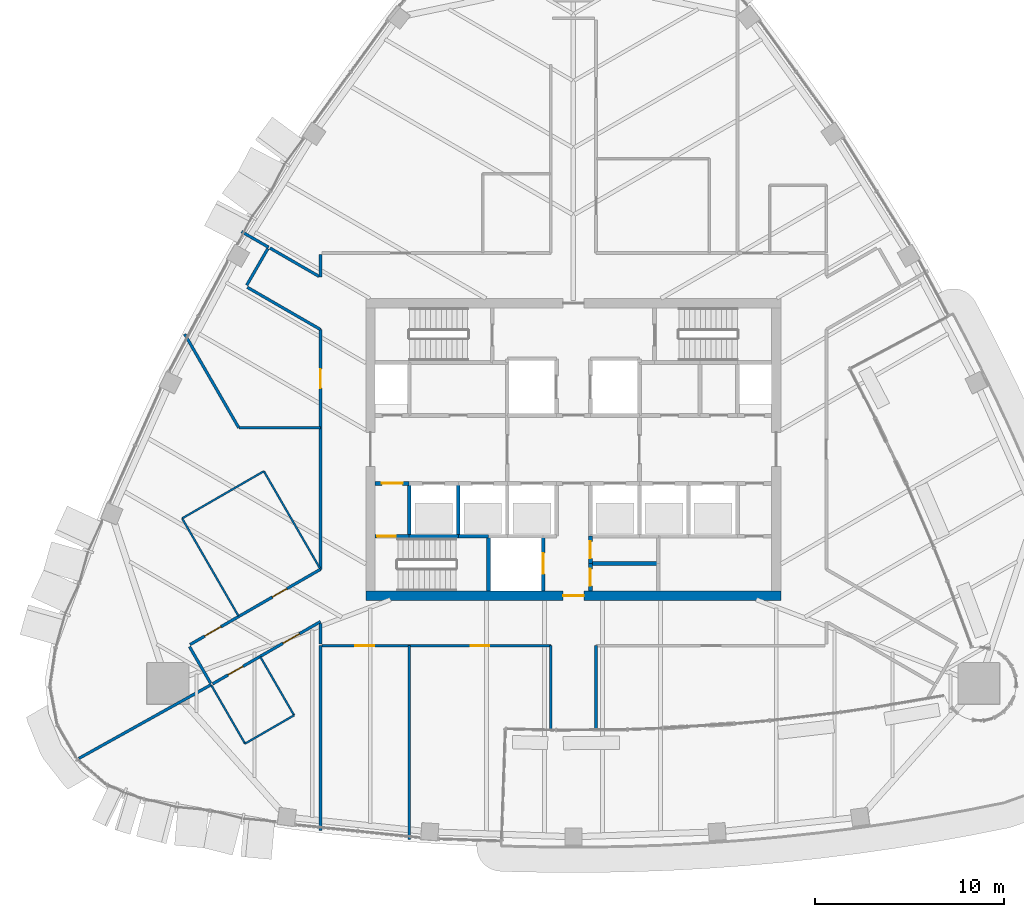
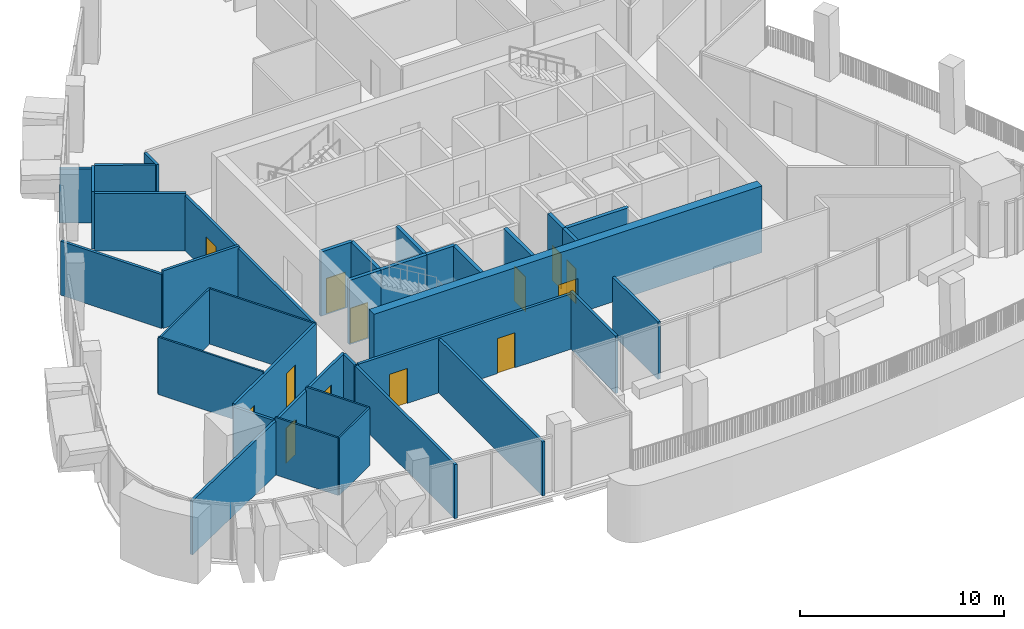
# One storey, part 13 of 21: 36 walls, 13 doors, 13 openings.
"""IFC4 building model written with IfcOpenShell, lengths in metres."""

from ifc_helpers import new_model, si_unit, direction, frame, frame_2d, origin, place, context, subcontext, project, spatial, rectangle, extrude, material, layer, layer_set, type_object, element, fill, save


model = new_model("IFC4")

# Units and contexts
model_context = context("Model", 3, precision=1e-05, world=origin(), true_north=direction((0.0, 1.0)))
body_context = subcontext(model_context, "Body", "Model", "MODEL_VIEW")
ifc_project = project(units=[si_unit("LENGTHUNIT", "METRE"), si_unit("AREAUNIT", "SQUARE_METRE"), si_unit("VOLUMEUNIT", "CUBIC_METRE"), si_unit("PLANEANGLEUNIT", "RADIAN"), si_unit("MASSUNIT", "GRAM", prefix="KILO")], contexts=[model_context])

# Site, building, storey
site_placement = place(None, origin())
site = spatial("IfcSite", under=ifc_project, at=site_placement, CompositionType="ELEMENT")
building_placement = place(site_placement, origin())
building = spatial("IfcBuilding", under=site, at=building_placement, Name="Sierra Prisma Convention Tower", CompositionType="ELEMENT")
storey_placement = place(building_placement, frame((0.0, 0.0, 259.0)))
storey = spatial("IfcBuildingStorey", under=building, at=storey_placement, Name="L58", CompositionType="ELEMENT", Elevation=259.0)

# Walls
ifc_material_1 = material(Name="Gypsum board partition", Category="gypsum")
ifc_layer_1 = layer(ifc_material_1, 0.10009765625)
ifc_layer_set_1 = layer_set([ifc_layer_1], Name="Bathroom partition 100")
wall_type_1 = type_object("IfcWallType", Name="Bathroom partition 100", PredefinedType="PARTITIONING", material=ifc_layer_set_1)
wall_1_placement = place(storey_placement, frame((-16.583984375, -10.9951171875, 0.0), z_axis=(0.0, 0.0, 1.0), x_axis=(0.499971082179, -0.866042098853, 0.0)))
element("IfcWall", 1, at=wall_1_placement, inside=storey, type_object=wall_type_1, Name="Partition L58 bath 1", PredefinedType="PARTITIONING", context=body_context, shape_type="SweptSolid", body=[
    extrude(rectangle(XDim=3.570068359375, YDim=0.10009765625, at=frame_2d((1.78515625, 0.0))), origin(), (0.0, 0.0, 1.0), 3.449951171875),
])
wall_2_placement = place(storey_placement, frame((-14.799072265625, -14.0869140625, 0.0), z_axis=(0.0, 0.0, 1.0), x_axis=(-0.866031096941, -0.499990139034, 0.0)))
element("IfcWall", 2, at=wall_2_placement, inside=storey, type_object=wall_type_1, Name="Partition L58 bath 2", PredefinedType="PARTITIONING", context=body_context, shape_type="SweptSolid", body=[
    extrude(rectangle(XDim=3.0, YDim=0.10009765625, at=frame_2d((1.5, 0.0))), origin(), (0.0, 0.0, 1.0), 3.449951171875),
])
wall_3_placement = place(storey_placement, frame((-17.397216796875, -15.5869140625, 0.0), z_axis=(0.0, 0.0, 1.0), x_axis=(-0.499971082179, 0.866042098853, 0.0)))
element("IfcWall", 3, at=wall_3_placement, inside=storey, type_object=wall_type_1, Name="Partition L58 bath 3", PredefinedType="PARTITIONING", context=body_context, shape_type="SweptSolid", body=[
    extrude(rectangle(XDim=3.570068359375, YDim=0.10009765625, at=frame_2d((1.78515625, 0.0))), origin(), (0.0, 0.0, 1.0), 3.449951171875),
])
wall_4_placement = place(storey_placement, frame((-17.7451171875, -8.824951171875, 0.0), z_axis=(0.0, 0.0, 1.0), x_axis=(-0.499983233416, 0.86603508376, 0.0)))
element("IfcWall", 4, at=wall_4_placement, inside=storey, type_object=wall_type_1, Name="Partition L58 bath 4", PredefinedType="PARTITIONING", context=body_context, shape_type="SweptSolid", body=[
    extrude(rectangle(XDim=5.969970703125, YDim=0.10009765625, at=frame_2d((2.98486328125, 0.0))), origin(), (0.0, 0.0, 1.0), 3.443115234375),
])
wall_5_placement = place(storey_placement, frame((-20.72998046875, -3.65478515625, 0.0), z_axis=(0.0, 0.0, 1.0), x_axis=(0.866022959057, 0.500004234368, 0.0)))
element("IfcWall", 5, at=wall_5_placement, inside=storey, type_object=wall_type_1, Name="Partition L58 bath 5", PredefinedType="PARTITIONING", context=body_context, shape_type="SweptSolid", body=[
    extrude(rectangle(XDim=5.0, YDim=0.10009765625, at=frame_2d((2.5, 0.0))), origin(), (0.0, 0.0, 1.0), 3.31689453125),
])
wall_6_placement = place(storey_placement, frame((-16.39990234375, -1.15478515625, 0.0), z_axis=(0.0, 0.0, 1.0), x_axis=(0.500007084799, -0.866021313335, 0.0)))
element("IfcWall", 6, at=wall_6_placement, inside=storey, type_object=wall_type_1, Name="Partition L58 bath 6", PredefinedType="PARTITIONING", context=body_context, shape_type="SweptSolid", body=[
    extrude(rectangle(XDim=5.93994140625, YDim=0.10009765625, at=frame_2d((2.969970703125, 0.0))), origin(), (0.0, 0.0, 1.0), 3.31689453125),
])

# Wall, opening, door
ifc_material_2 = material(Name="Concrete C30/37", Category="concrete")
ifc_layer_2 = layer(ifc_material_2, 0.199951171875)
ifc_layer_set_2 = layer_set([ifc_layer_2], Name="Core wall RC 200 C30/37")
wall_type_2 = type_object("IfcWallType", Name="Core wall RC 200 C30/37", PredefinedType="SOLIDWALL", material=ifc_layer_set_2)
wall_7_placement = place(storey_placement, frame((-10.5, -4.60009765625, 0.0), z_axis=(0.0, 0.0, 1.0), x_axis=(1.0, 0.0, 0.0)))
wall_7 = element("IfcWall", 7, at=wall_7_placement, inside=storey, type_object=wall_type_2, Name="Core wall L58 1", PredefinedType="SOLIDWALL", context=body_context, shape_type="SweptSolid", body=[
    extrude(rectangle(XDim=1.800048828125, YDim=0.199951171875, at=frame_2d((0.89990234375, 0.0))), origin(), (0.0, 0.0, 1.0), 3.85009765625),
])
opening_1_placement = place(wall_7_placement, frame((0.10009765625, 0.0, 0.0)))
opening_1 = element("IfcOpeningElement", 8, at=opening_1_placement, cuts=wall_7, Name="Opening L58-D019", PredefinedType="OPENING", context=body_context, shape_type="SweptSolid", body=[
    extrude(rectangle(XDim=1.0, YDim=2.10009765625, at=frame_2d((0.5, 1.050048828125))), frame((0.0, 0.10009765625, 0.0), z_axis=(0.0, -1.0, 0.0), x_axis=(1.0, 0.0, 0.0)), (0.0, 0.0, 1.0), 0.199951171875),
])
ifc_material_3 = material(Name="Steel fire door leaf", Category="steel")
door_type_1 = type_object("IfcDoorType", Name="Door 1000x2100 FD90S", OperationType="SINGLE_SWING_LEFT", PredefinedType="DOOR", material=ifc_material_3)
door_1_placement = place(opening_1_placement, origin())
door_1 = element("IfcDoor", 9, at=door_1_placement, inside=storey, type_object=door_type_1, Name="Door L58 32", OperationType="SINGLE_SWING_LEFT", OverallHeight=2.10009765625, OverallWidth=1.0, PredefinedType="DOOR", context=body_context, shape_type="SweptSolid", body=[
    extrude(rectangle(XDim=1.0, YDim=2.10009765625, at=frame_2d((0.5, 1.050048828125))), frame((0.0, 0.02490234375, 0.0), z_axis=(0.0, -1.0, 0.0), x_axis=(1.0, 0.0, 0.0)), (0.0, 0.0, 1.0), 0.050048828125),
])
fill(opening_1, door_1)

wall_8_placement = place(storey_placement, frame((-10.5, -1.800048828125, 0.0), z_axis=(0.0, 0.0, 1.0), x_axis=(1.0, 0.0, 0.0)))
wall_8 = element("IfcWall", 10, at=wall_8_placement, inside=storey, type_object=wall_type_2, Name="Core wall L58 2", PredefinedType="SOLIDWALL", context=body_context, shape_type="SweptSolid", body=[
    extrude(rectangle(XDim=1.800048828125, YDim=0.199951171875, at=frame_2d((0.89990234375, 0.0))), origin(), (0.0, 0.0, 1.0), 3.85009765625),
])
opening_2_placement = place(wall_8_placement, frame((0.35009765625, 0.0, 0.0)))
opening_2 = element("IfcOpeningElement", 11, at=opening_2_placement, cuts=wall_8, Name="Opening L58-D014", PredefinedType="OPENING", context=body_context, shape_type="SweptSolid", body=[
    extrude(rectangle(XDim=1.10009765625, YDim=2.10009765625, at=frame_2d((0.550048828125, 1.050048828125))), frame((0.0, 0.10009765625, 0.0), z_axis=(0.0, -1.0, 0.0), x_axis=(1.0, 0.0, 0.0)), (0.0, 0.0, 1.0), 0.199951171875),
])
ifc_material_4 = material(Name="Steel fire door leaf", Category="steel")
door_type_2 = type_object("IfcDoorType", Name="Door 1100x2100 FD90S", OperationType="SINGLE_SWING_LEFT", PredefinedType="DOOR", material=ifc_material_4)
door_2_placement = place(opening_2_placement, origin())
door_2 = element("IfcDoor", 12, at=door_2_placement, inside=storey, type_object=door_type_2, Name="Door L58 27", OperationType="SINGLE_SWING_LEFT", OverallHeight=2.10009765625, OverallWidth=1.10009765625, PredefinedType="DOOR", context=body_context, shape_type="SweptSolid", body=[
    extrude(rectangle(XDim=1.10009765625, YDim=2.10009765625, at=frame_2d((0.550048828125, 1.050048828125))), frame((0.0, 0.02490234375, 0.0), z_axis=(0.0, -1.0, 0.0), x_axis=(1.0, 0.0, 0.0)), (0.0, 0.0, 1.0), 0.050048828125),
])
fill(opening_2, door_2)

# Walls
wall_9_placement = place(storey_placement, frame((-8.699951171875, -4.60009765625, 0.0), z_axis=(0.0, 0.0, 1.0), x_axis=(1.0, 0.0, 0.0)))
element("IfcWall", 13, at=wall_9_placement, inside=storey, type_object=wall_type_2, Name="Core wall L58 5", PredefinedType="SOLIDWALL", context=body_context, shape_type="SweptSolid", body=[
    extrude(rectangle(XDim=2.599853515625, YDim=0.199951171875, at=frame_2d((1.2998046875, 0.0))), origin(), (0.0, 0.0, 1.0), 3.85009765625),
])
wall_10_placement = place(storey_placement, frame((-8.699951171875, -4.60009765625, 0.0), z_axis=(0.0, 0.0, 1.0), x_axis=(0.0, 1.0, 0.0)))
element("IfcWall", 14, at=wall_10_placement, inside=storey, type_object=wall_type_2, Name="Core wall L58 6", PredefinedType="SOLIDWALL", context=body_context, shape_type="SweptSolid", body=[
    extrude(rectangle(XDim=2.800048828125, YDim=0.199951171875, at=frame_2d((1.39990234375, 0.0))), origin(), (0.0, 0.0, 1.0), 3.85009765625),
])
wall_11_placement = place(storey_placement, frame((-6.10009765625, -4.60009765625, 0.0), z_axis=(0.0, 0.0, 1.0), x_axis=(1.0, 0.0, 0.0)))
element("IfcWall", 15, at=wall_11_placement, inside=storey, type_object=wall_type_2, Name="Core wall L58 11", PredefinedType="SOLIDWALL", context=body_context, shape_type="SweptSolid", body=[
    extrude(rectangle(XDim=1.60009765625, YDim=0.199951171875, at=frame_2d((0.800048828125, 0.0))), origin(), (0.0, 0.0, 1.0), 3.85009765625),
])
wall_12_placement = place(storey_placement, frame((-6.10009765625, -4.60009765625, 0.0), z_axis=(0.0, 0.0, 1.0), x_axis=(0.0, 1.0, 0.0)))
element("IfcWall", 16, at=wall_12_placement, inside=storey, type_object=wall_type_2, Name="Core wall L58 12", PredefinedType="SOLIDWALL", context=body_context, shape_type="SweptSolid", body=[
    extrude(rectangle(XDim=2.800048828125, YDim=0.199951171875, at=frame_2d((1.39990234375, 0.0))), origin(), (0.0, 0.0, 1.0), 3.85009765625),
])
wall_13_placement = place(storey_placement, frame((-4.5, -4.60009765625, 0.0), z_axis=(0.0, 0.0, 1.0), x_axis=(0.0, -1.0, 0.0)))
element("IfcWall", 17, at=wall_13_placement, inside=storey, type_object=wall_type_2, Name="Core wall L58 14", PredefinedType="SOLIDWALL", context=body_context, shape_type="SweptSolid", body=[
    extrude(rectangle(XDim=2.89990234375, YDim=0.199951171875, at=frame_2d((1.449951171875, 0.0))), origin(), (0.0, 0.0, 1.0), 3.85009765625),
])

# Wall, opening, door
wall_14_placement = place(storey_placement, frame((-1.60009765625, -7.5, 0.0), z_axis=(0.0, 0.0, 1.0), x_axis=(0.0, 1.0, 0.0)))
wall_14 = element("IfcWall", 18, at=wall_14_placement, inside=storey, type_object=wall_type_2, Name="Core wall L58 27", PredefinedType="SOLIDWALL", context=body_context, shape_type="SweptSolid", body=[
    extrude(rectangle(XDim=2.89990234375, YDim=0.199951171875, at=frame_2d((1.449951171875, 0.0))), origin(), (0.0, 0.0, 1.0), 3.85009765625),
])
opening_3_placement = place(wall_14_placement, frame((0.89990234375, 0.0, 0.0)))
opening_3 = element("IfcOpeningElement", 19, at=opening_3_placement, cuts=wall_14, Name="Opening L58-D011", PredefinedType="OPENING", context=body_context, shape_type="SweptSolid", body=[
    extrude(rectangle(XDim=1.10009765625, YDim=2.10009765625, at=frame_2d((0.550048828125, 1.050048828125))), frame((0.0, 0.10009765625, 0.0), z_axis=(0.0, -1.0, 0.0), x_axis=(1.0, 0.0, 0.0)), (0.0, 0.0, 1.0), 0.199951171875),
])
ifc_material_5 = material(Name="Steel fire door leaf", Category="steel")
door_type_3 = type_object("IfcDoorType", Name="Door 1100x2100 EI 90 sliding lift landing", OperationType="SLIDING_TO_LEFT", PredefinedType="DOOR", material=ifc_material_5)
door_3_placement = place(opening_3_placement, origin())
door_3 = element("IfcDoor", 20, at=door_3_placement, inside=storey, type_object=door_type_3, Name="Door L58 24", OperationType="SLIDING_TO_LEFT", OverallHeight=2.10009765625, OverallWidth=1.10009765625, PredefinedType="DOOR", context=body_context, shape_type="SweptSolid", body=[
    extrude(rectangle(XDim=1.10009765625, YDim=2.10009765625, at=frame_2d((0.550048828125, 1.050048828125))), frame((0.0, 0.02490234375, 0.0), z_axis=(0.0, -1.0, 0.0), x_axis=(1.0, 0.0, 0.0)), (0.0, 0.0, 1.0), 0.050048828125),
])
fill(opening_3, door_3)

wall_15_placement = place(storey_placement, frame((0.89990234375, -6.050048828125, 0.0), z_axis=(0.0, 0.0, 1.0), x_axis=(0.0, -1.0, 0.0)))
wall_15 = element("IfcWall", 21, at=wall_15_placement, inside=storey, type_object=wall_type_2, Name="Core wall L58 32", PredefinedType="SOLIDWALL", context=body_context, shape_type="SweptSolid", body=[
    extrude(rectangle(XDim=1.449951171875, YDim=0.199951171875, at=frame_2d((0.72509765625, 0.0))), origin(), (0.0, 0.0, 1.0), 3.85009765625),
])
opening_4_placement = place(wall_15_placement, frame((0.27490234375, 0.0, 0.0)))
opening_4 = element("IfcOpeningElement", 22, at=opening_4_placement, cuts=wall_15, Name="Opening L58-D027", PredefinedType="OPENING", context=body_context, shape_type="SweptSolid", body=[
    extrude(rectangle(XDim=0.89990234375, YDim=2.10009765625, at=frame_2d((0.449951171875, 1.050048828125))), frame((0.0, 0.10009765625, 0.0), z_axis=(0.0, -1.0, 0.0), x_axis=(1.0, 0.0, 0.0)), (0.0, 0.0, 1.0), 0.199951171875),
])
ifc_material_6 = material(Name="Steel fire door leaf", Category="steel")
door_type_4 = type_object("IfcDoorType", Name="Door 900x2100 FD30S", OperationType="SINGLE_SWING_LEFT", PredefinedType="DOOR", material=ifc_material_6)
door_4_placement = place(opening_4_placement, origin())
door_4 = element("IfcDoor", 23, at=door_4_placement, inside=storey, type_object=door_type_4, Name="Door L58 40", OperationType="SINGLE_SWING_LEFT", OverallHeight=2.10009765625, OverallWidth=0.89990234375, PredefinedType="DOOR", context=body_context, shape_type="SweptSolid", body=[
    extrude(rectangle(XDim=0.89990234375, YDim=2.10009765625, at=frame_2d((0.449951171875, 1.050048828125))), frame((0.0, 0.02490234375, 0.0), z_axis=(0.0, -1.0, 0.0), x_axis=(1.0, 0.0, 0.0)), (0.0, 0.0, 1.0), 0.050048828125),
])
fill(opening_4, door_4)

# Wall
wall_16_placement = place(storey_placement, frame((4.5, -6.050048828125, 0.0), z_axis=(0.0, 0.0, 1.0), x_axis=(-1.0, 0.0, 0.0)))
element("IfcWall", 24, at=wall_16_placement, inside=storey, type_object=wall_type_2, Name="Core wall L58 33", PredefinedType="SOLIDWALL", context=body_context, shape_type="SweptSolid", body=[
    extrude(rectangle(XDim=3.60009765625, YDim=0.199951171875, at=frame_2d((1.800048828125, 0.0))), origin(), (0.0, 0.0, 1.0), 3.85009765625),
])

# Wall, opening, door
wall_17_placement = place(storey_placement, frame((0.89990234375, -4.60009765625, 0.0), z_axis=(0.0, 0.0, 1.0), x_axis=(0.0, -1.0, 0.0)))
wall_17 = element("IfcWall", 25, at=wall_17_placement, inside=storey, type_object=wall_type_2, Name="Core wall L58 34", PredefinedType="SOLIDWALL", context=body_context, shape_type="SweptSolid", body=[
    extrude(rectangle(XDim=1.449951171875, YDim=0.199951171875, at=frame_2d((0.72509765625, 0.0))), origin(), (0.0, 0.0, 1.0), 3.85009765625),
])
opening_5_placement = place(wall_17_placement, frame((0.27490234375, 0.0, 0.0)))
opening_5 = element("IfcOpeningElement", 26, at=opening_5_placement, cuts=wall_17, Name="Opening L58-D028", PredefinedType="OPENING", context=body_context, shape_type="SweptSolid", body=[
    extrude(rectangle(XDim=0.89990234375, YDim=2.10009765625, at=frame_2d((0.449951171875, 1.050048828125))), frame((0.0, 0.10009765625, 0.0), z_axis=(0.0, -1.0, 0.0), x_axis=(1.0, 0.0, 0.0)), (0.0, 0.0, 1.0), 0.199951171875),
])
door_5_placement = place(opening_5_placement, origin())
door_5 = element("IfcDoor", 27, at=door_5_placement, inside=storey, type_object=door_type_4, Name="Door L58 41", OperationType="SINGLE_SWING_RIGHT", OverallHeight=2.10009765625, OverallWidth=0.89990234375, PredefinedType="DOOR", context=body_context, shape_type="SweptSolid", body=[
    extrude(rectangle(XDim=0.89990234375, YDim=2.10009765625, at=frame_2d((0.449951171875, 1.050048828125))), frame((0.0, 0.02490234375, 0.0), z_axis=(0.0, -1.0, 0.0), x_axis=(1.0, 0.0, 0.0)), (0.0, 0.0, 1.0), 0.050048828125),
])
fill(opening_5, door_5)

ifc_material_7 = material(Name="Concrete C50/60", Category="concrete")
ifc_layer_3 = layer(ifc_material_7, 0.5)
ifc_layer_set_3 = layer_set([ifc_layer_3], Name="Core wall RC 500 C50/60")
wall_type_3 = type_object("IfcWallType", Name="Core wall RC 500 C50/60", PredefinedType="SHEAR", material=ifc_layer_set_3)
wall_18_placement = place(storey_placement, frame((-11.0, -7.75, 0.0), z_axis=(0.0, 0.0, 1.0), x_axis=(1.0, 0.0, 0.0)))
wall_18 = element("IfcWall", 28, at=wall_18_placement, inside=storey, type_object=wall_type_3, Name="Core wall S L58", PredefinedType="SHEAR", context=body_context, shape_type="SweptSolid", body=[
    extrude(rectangle(XDim=22.0, YDim=0.5, at=frame_2d((11.0, 0.0))), origin(), (0.0, 0.0, 1.0), 4.0),
])
opening_6_placement = place(wall_18_placement, frame((10.449951171875, 0.0, 0.0)))
opening_6 = element("IfcOpeningElement", 29, at=opening_6_placement, cuts=wall_18, Name="Opening L58-D046", PredefinedType="OPENING", context=body_context, shape_type="SweptSolid", body=[
    extrude(rectangle(XDim=1.10009765625, YDim=2.10009765625, at=frame_2d((0.550048828125, 1.050048828125))), frame((0.0, 0.25, 0.0), z_axis=(0.0, -1.0, 0.0), x_axis=(1.0, 0.0, 0.0)), (0.0, 0.0, 1.0), 0.5),
])
ifc_material_8 = material(Name="Steel fire door leaf", Category="steel")
door_type_5 = type_object("IfcDoorType", Name="Door 1100x2100 FD30S", OperationType="SINGLE_SWING_LEFT", PredefinedType="DOOR", material=ifc_material_8)
door_6_placement = place(opening_6_placement, origin())
door_6 = element("IfcDoor", 30, at=door_6_placement, inside=storey, type_object=door_type_5, Name="Door L58 45", OperationType="SINGLE_SWING_RIGHT", OverallHeight=2.10009765625, OverallWidth=1.10009765625, PredefinedType="DOOR", context=body_context, shape_type="SweptSolid", body=[
    extrude(rectangle(XDim=1.10009765625, YDim=2.10009765625, at=frame_2d((0.550048828125, 1.050048828125))), frame((0.0, 0.02490234375, 0.0), z_axis=(0.0, -1.0, 0.0), x_axis=(1.0, 0.0, 0.0)), (0.0, 0.0, 1.0), 0.050048828125),
])
fill(opening_6, door_6)

# Walls
ifc_material_9 = material(Name="Gypsum board partition", Category="gypsum")
ifc_layer_4 = layer(ifc_material_9, 0.14990234375)
ifc_layer_set_4 = layer_set([ifc_layer_4], Name="Corridor wall 150 gypsum EI 60")
wall_type_4 = type_object("IfcWallType", Name="Corridor wall 150 gypsum EI 60", PredefinedType="PARTITIONING", material=ifc_layer_set_4)
wall_19_placement = place(storey_placement, frame((-20.33984375, -10.449951171875, 0.0), z_axis=(0.0, 0.0, 1.0), x_axis=(0.500030632641, -0.866007717299, 0.0)))
element("IfcWall", 31, at=wall_19_placement, inside=storey, type_object=wall_type_4, Name="Partition L58 corr 1", PredefinedType="PARTITIONING", context=body_context, shape_type="SweptSolid", body=[
    extrude(rectangle(XDim=2.239990234375, YDim=0.14990234375, at=frame_2d((1.1201171875, 0.0))), origin(), (0.0, 0.0, 1.0), 3.23291015625),
])
wall_20_placement = place(storey_placement, frame((-17.2783203125, 8.590087890625, 0.0), z_axis=(0.0, 0.0, 1.0), x_axis=(0.866020361036, -0.500008734195, 0.0)))
element("IfcWall", 32, at=wall_20_placement, inside=storey, type_object=wall_type_4, Name="Partition L58 corr 2", PredefinedType="PARTITIONING", context=body_context, shape_type="SweptSolid", body=[
    extrude(rectangle(XDim=4.478515625, YDim=0.14990234375, at=frame_2d((2.2392578125, 0.0))), origin(), (0.0, 0.0, 1.0), 3.449951171875),
])

# Wall, opening, door
wall_21_placement = place(storey_placement, frame((-13.39990234375, 6.350830078125, 0.0), z_axis=(0.0, 0.0, 1.0), x_axis=(0.0, -1.0, 0.0)))
wall_21 = element("IfcWall", 33, at=wall_21_placement, inside=storey, type_object=wall_type_4, Name="Partition L58 corr 3", PredefinedType="PARTITIONING", context=body_context, shape_type="SweptSolid", body=[
    extrude(rectangle(XDim=12.70166015625, YDim=0.14990234375, at=frame_2d((6.350830078125, 0.0))), origin(), (0.0, 0.0, 1.0), 3.31689453125),
])
opening_7_placement = place(wall_21_placement, frame((2.100830078125, 0.0, 0.0)))
opening_7 = element("IfcOpeningElement", 34, at=opening_7_placement, cuts=wall_21, Name="Opening L58-D035", PredefinedType="OPENING", context=body_context, shape_type="SweptSolid", body=[
    extrude(rectangle(XDim=1.0, YDim=2.10009765625, at=frame_2d((0.5, 1.050048828125))), frame((0.0, 0.074951171875, 0.0), z_axis=(0.0, -1.0, 0.0), x_axis=(1.0, 0.0, 0.0)), (0.0, 0.0, 1.0), 0.14990234375),
])
ifc_material_10 = material(Name="Steel fire door leaf", Category="steel")
door_type_6 = type_object("IfcDoorType", Name="Door 1000x2100 FD30S", OperationType="SINGLE_SWING_LEFT", PredefinedType="DOOR", material=ifc_material_10)
door_7_placement = place(opening_7_placement, origin())
door_7 = element("IfcDoor", 35, at=door_7_placement, inside=storey, type_object=door_type_6, Name="Door L58 7", OperationType="SINGLE_SWING_RIGHT", OverallHeight=2.10009765625, OverallWidth=1.0, PredefinedType="DOOR", context=body_context, shape_type="SweptSolid", body=[
    extrude(rectangle(XDim=1.0, YDim=2.10009765625, at=frame_2d((0.5, 1.050048828125))), frame((0.0, 0.02490234375, 0.0), z_axis=(0.0, -1.0, 0.0), x_axis=(1.0, 0.0, 0.0)), (0.0, 0.0, 1.0), 0.050048828125),
])
fill(opening_7, door_7)

# Wall, openings, doors
wall_22_placement = place(storey_placement, frame((-13.39990234375, -6.350830078125, 0.0), z_axis=(0.0, 0.0, 1.0), x_axis=(-0.866031719379, -0.499989060909, 0.0)))
wall_22 = element("IfcWall", 36, at=wall_22_placement, inside=storey, type_object=wall_type_4, Name="Partition L58 corr 4", PredefinedType="PARTITIONING", context=body_context, shape_type="SweptSolid", body=[
    extrude(rectangle(XDim=7.979736328125, YDim=0.14990234375, at=frame_2d((3.98974609375, 0.0))), origin(), (0.0, 0.0, 1.0), 3.31689453125),
])
opening_8_placement = place(wall_22_placement, frame((2.050048828125, 0.0, 0.0)))
opening_8 = element("IfcOpeningElement", 37, at=opening_8_placement, cuts=wall_22, Name="Opening L58-D036", PredefinedType="OPENING", context=body_context, shape_type="SweptSolid", body=[
    extrude(rectangle(XDim=0.89990234375, YDim=2.10009765625, at=frame_2d((0.449951171875, 1.050048828125))), frame((0.0, 0.074951171875, 0.0), z_axis=(0.0, -1.0, 0.0), x_axis=(1.0, 0.0, 0.0)), (0.0, 0.0, 1.0), 0.14990234375),
])
opening_9_placement = place(wall_22_placement, frame((6.079833984375, 0.0, 0.0)))
opening_9 = element("IfcOpeningElement", 38, at=opening_9_placement, cuts=wall_22, Name="Opening L58-D037", PredefinedType="OPENING", context=body_context, shape_type="SweptSolid", body=[
    extrude(rectangle(XDim=1.0, YDim=2.10009765625, at=frame_2d((0.5, 1.050048828125))), frame((0.0, 0.074951171875, 0.0), z_axis=(0.0, -1.0, 0.0), x_axis=(1.0, 0.0, 0.0)), (0.0, 0.0, 1.0), 0.14990234375),
])
door_8_placement = place(opening_9_placement, origin())
door_8 = element("IfcDoor", 39, at=door_8_placement, inside=storey, type_object=door_type_6, Name="Door L58 9", OperationType="SINGLE_SWING_RIGHT", OverallHeight=2.10009765625, OverallWidth=1.0, PredefinedType="DOOR", context=body_context, shape_type="SweptSolid", body=[
    extrude(rectangle(XDim=1.0, YDim=2.10009765625, at=frame_2d((0.5, 1.050048828125))), frame((0.0, 0.02490234375, 0.0), z_axis=(0.0, -1.0, 0.0), x_axis=(1.0, 0.0, 0.0)), (0.0, 0.0, 1.0), 0.050048828125),
])
fill(opening_9, door_8)
door_9_placement = place(opening_8_placement, origin())
door_9 = element("IfcDoor", 40, at=door_9_placement, inside=storey, type_object=door_type_4, Name="Door L58 8", OperationType="SINGLE_SWING_RIGHT", OverallHeight=2.10009765625, OverallWidth=0.89990234375, PredefinedType="DOOR", context=body_context, shape_type="SweptSolid", body=[
    extrude(rectangle(XDim=0.89990234375, YDim=2.10009765625, at=frame_2d((0.449951171875, 1.050048828125))), frame((0.0, 0.02490234375, 0.0), z_axis=(0.0, -1.0, 0.0), x_axis=(1.0, 0.0, 0.0)), (0.0, 0.0, 1.0), 0.050048828125),
])
fill(opening_8, door_9)

wall_23_placement = place(storey_placement, frame((-19.110595703125, -12.419189453125, 0.0), z_axis=(0.0, 0.0, 1.0), x_axis=(0.866022199768, 0.500005549479, 0.0)))
wall_23 = element("IfcWall", 41, at=wall_23_placement, inside=storey, type_object=wall_type_4, Name="Partition L58 corr 5", PredefinedType="PARTITIONING", context=body_context, shape_type="SweptSolid", body=[
    extrude(rectangle(XDim=6.59423828125, YDim=0.14990234375, at=frame_2d((3.297119140625, 0.0))), origin(), (0.0, 0.0, 1.0), 3.23291015625),
])
opening_10_placement = place(wall_23_placement, frame((0.949951171875, 0.0, 0.0)))
opening_10 = element("IfcOpeningElement", 42, at=opening_10_placement, cuts=wall_23, Name="Opening L58-D038", PredefinedType="OPENING", context=body_context, shape_type="SweptSolid", body=[
    extrude(rectangle(XDim=0.89990234375, YDim=2.10009765625, at=frame_2d((0.449951171875, 1.050048828125))), frame((0.0, 0.074951171875, 0.0), z_axis=(0.0, -1.0, 0.0), x_axis=(1.0, 0.0, 0.0)), (0.0, 0.0, 1.0), 0.14990234375),
])
opening_11_placement = place(wall_23_placement, frame((4.297119140625, 0.0, 0.0)))
opening_11 = element("IfcOpeningElement", 43, at=opening_11_placement, cuts=wall_23, Name="Opening L58-D039", PredefinedType="OPENING", context=body_context, shape_type="SweptSolid", body=[
    extrude(rectangle(XDim=1.0, YDim=2.10009765625, at=frame_2d((0.5, 1.050048828125))), frame((0.0, 0.074951171875, 0.0), z_axis=(0.0, -1.0, 0.0), x_axis=(1.0, 0.0, 0.0)), (0.0, 0.0, 1.0), 0.14990234375),
])
door_10_placement = place(opening_11_placement, origin())
door_10 = element("IfcDoor", 44, at=door_10_placement, inside=storey, type_object=door_type_6, Name="Door L58 11", OperationType="SINGLE_SWING_LEFT", OverallHeight=2.10009765625, OverallWidth=1.0, PredefinedType="DOOR", context=body_context, shape_type="SweptSolid", body=[
    extrude(rectangle(XDim=1.0, YDim=2.10009765625, at=frame_2d((0.5, 1.050048828125))), frame((0.0, 0.02490234375, 0.0), z_axis=(0.0, -1.0, 0.0), x_axis=(1.0, 0.0, 0.0)), (0.0, 0.0, 1.0), 0.050048828125),
])
fill(opening_11, door_10)
door_11_placement = place(opening_10_placement, origin())
door_11 = element("IfcDoor", 45, at=door_11_placement, inside=storey, type_object=door_type_4, Name="Door L58 10", OperationType="SINGLE_SWING_RIGHT", OverallHeight=2.10009765625, OverallWidth=0.89990234375, PredefinedType="DOOR", context=body_context, shape_type="SweptSolid", body=[
    extrude(rectangle(XDim=0.89990234375, YDim=2.10009765625, at=frame_2d((0.449951171875, 1.050048828125))), frame((0.0, 0.02490234375, 0.0), z_axis=(0.0, -1.0, 0.0), x_axis=(1.0, 0.0, 0.0)), (0.0, 0.0, 1.0), 0.050048828125),
])
fill(opening_10, door_11)

# Walls
wall_24_placement = place(storey_placement, frame((-13.39990234375, -9.213623046875, 0.0), z_axis=(0.0, 0.0, 1.0), x_axis=(0.0, -1.0, 0.0)))
element("IfcWall", 46, at=wall_24_placement, inside=storey, type_object=wall_type_4, Name="Partition L58 corr 6", PredefinedType="PARTITIONING", context=body_context, shape_type="SweptSolid", body=[
    extrude(rectangle(XDim=1.1064453125, YDim=0.14990234375, at=frame_2d((0.55322265625, 0.0))), origin(), (0.0, 0.0, 1.0), 3.23291015625),
])
wall_25_placement = place(storey_placement, frame((-16.1875, 10.63916015625, 0.0), z_axis=(0.0, 0.0, 1.0), x_axis=(-0.500030632641, -0.866007717299, 0.0)))
element("IfcWall", 47, at=wall_25_placement, inside=storey, type_object=wall_type_4, Name="Partition L58 corr 7", PredefinedType="PARTITIONING", context=body_context, shape_type="SweptSolid", body=[
    extrude(rectangle(XDim=2.239990234375, YDim=0.14990234375, at=frame_2d((1.1201171875, 0.0))), origin(), (0.0, 0.0, 1.0), 3.449951171875),
])
wall_26_placement = place(storey_placement, frame((-13.39990234375, 10.320068359375, 0.0), z_axis=(0.0, 0.0, 1.0), x_axis=(0.0, -1.0, 0.0)))
element("IfcWall", 48, at=wall_26_placement, inside=storey, type_object=wall_type_4, Name="Partition L58 corr 8", PredefinedType="PARTITIONING", context=body_context, shape_type="SweptSolid", body=[
    extrude(rectangle(XDim=1.197998046875, YDim=0.14990234375, at=frame_2d((0.59912109375, 0.0))), origin(), (0.0, 0.0, 1.0), 3.449951171875),
])
wall_27_placement = place(storey_placement, frame((-13.479248046875, 9.16796875, 0.0), z_axis=(0.0, 0.0, 1.0), x_axis=(-0.866041993159, 0.49997126526, 0.0)))
element("IfcWall", 49, at=wall_27_placement, inside=storey, type_object=wall_type_4, Name="Partition L58 corr 9", PredefinedType="PARTITIONING", context=body_context, shape_type="SweptSolid", body=[
    extrude(rectangle(XDim=3.001220703125, YDim=0.14990234375, at=frame_2d((1.50048828125, 0.0))), origin(), (0.0, 0.0, 1.0), 3.449951171875),
])

# Wall, openings, doors
wall_28_placement = place(storey_placement, frame((-13.320068359375, -10.39990234375, 0.0), z_axis=(0.0, 0.0, 1.0), x_axis=(1.0, 0.0, 0.0)))
wall_28 = element("IfcWall", 50, at=wall_28_placement, inside=storey, type_object=wall_type_4, Name="Partition L58 corr 10", PredefinedType="PARTITIONING", context=body_context, shape_type="SweptSolid", body=[
    extrude(rectangle(XDim=12.1201171875, YDim=0.14990234375, at=frame_2d((6.06005859375, 0.0))), origin(), (0.0, 0.0, 1.0), 3.31689453125),
])
opening_12_placement = place(wall_28_placement, frame((1.77001953125, 0.0, 0.0)))
opening_12 = element("IfcOpeningElement", 51, at=opening_12_placement, cuts=wall_28, Name="Opening L58-D040", PredefinedType="OPENING", context=body_context, shape_type="SweptSolid", body=[
    extrude(rectangle(XDim=1.0, YDim=2.10009765625, at=frame_2d((0.5, 1.050048828125))), frame((0.0, 0.074951171875, 0.0), z_axis=(0.0, -1.0, 0.0), x_axis=(1.0, 0.0, 0.0)), (0.0, 0.0, 1.0), 0.14990234375),
])
opening_13_placement = place(wall_28_placement, frame((7.8701171875, 0.0, 0.0)))
opening_13 = element("IfcOpeningElement", 52, at=opening_13_placement, cuts=wall_28, Name="Opening L58-D041", PredefinedType="OPENING", context=body_context, shape_type="SweptSolid", body=[
    extrude(rectangle(XDim=1.0, YDim=2.10009765625, at=frame_2d((0.5, 1.050048828125))), frame((0.0, 0.074951171875, 0.0), z_axis=(0.0, -1.0, 0.0), x_axis=(1.0, 0.0, 0.0)), (0.0, 0.0, 1.0), 0.14990234375),
])
door_12_placement = place(opening_12_placement, origin())
door_12 = element("IfcDoor", 53, at=door_12_placement, inside=storey, type_object=door_type_6, Name="Door L58 12", OperationType="SINGLE_SWING_RIGHT", OverallHeight=2.10009765625, OverallWidth=1.0, PredefinedType="DOOR", context=body_context, shape_type="SweptSolid", body=[
    extrude(rectangle(XDim=1.0, YDim=2.10009765625, at=frame_2d((0.5, 1.050048828125))), frame((0.0, 0.02490234375, 0.0), z_axis=(0.0, -1.0, 0.0), x_axis=(1.0, 0.0, 0.0)), (0.0, 0.0, 1.0), 0.050048828125),
])
fill(opening_12, door_12)
door_13_placement = place(opening_13_placement, origin())
door_13 = element("IfcDoor", 54, at=door_13_placement, inside=storey, type_object=door_type_6, Name="Door L58 13", OperationType="SINGLE_SWING_LEFT", OverallHeight=2.10009765625, OverallWidth=1.0, PredefinedType="DOOR", context=body_context, shape_type="SweptSolid", body=[
    extrude(rectangle(XDim=1.0, YDim=2.10009765625, at=frame_2d((0.5, 1.050048828125))), frame((0.0, 0.02490234375, 0.0), z_axis=(0.0, -1.0, 0.0), x_axis=(1.0, 0.0, 0.0)), (0.0, 0.0, 1.0), 0.050048828125),
])
fill(opening_13, door_13)

# Walls
for number, where, z_axis, x_axis, name in (
    (55, (-1.199951171875, -10.39990234375, 0.0), (0.0, 0.0, 1.0), (0.0, -1.0, 0.0), "Partition L58 corr 11"),
    (56, (1.199951171875, -14.86376953125, 0.0), (0.0, 0.0, 1.0), (0.0, 1.0, 0.0), "Partition L58 corr 15"),
):
    element("IfcWall", number, at=place(storey_placement, frame(where, z_axis=z_axis, x_axis=x_axis)), inside=storey, type_object=wall_type_4, Name=name, PredefinedType="PARTITIONING", context=body_context, shape_type="SweptSolid", body=[
        extrude(rectangle(XDim=4.4638671875, YDim=0.14990234375, at=frame_2d((2.23193359375, 0.0))), origin(), (0.0, 0.0, 1.0), 3.449951171875),
    ])
ifc_material_11 = material(Name="Gypsum board partition", Category="gypsum")
ifc_layer_5 = layer(ifc_material_11, 0.14990234375)
ifc_layer_set_5 = layer_set([ifc_layer_5], Name="Party wall 150 gypsum")
wall_type_5 = type_object("IfcWallType", Name="Party wall 150 gypsum", PredefinedType="PARTITIONING", material=ifc_layer_set_5)
wall_29_placement = place(storey_placement, frame((-19.1796875, -12.458984375, 0.0), z_axis=(0.0, 0.0, 1.0), x_axis=(-0.873518893781, -0.486790244569, 0.0)))
element("IfcWall", 57, at=wall_29_placement, inside=storey, type_object=wall_type_5, Name="Partition L58 party 1", PredefinedType="PARTITIONING", context=body_context, shape_type="SweptSolid", body=[
    extrude(rectangle(XDim=8.037109375, YDim=0.14990234375, at=frame_2d((4.0185546875, 0.0))), origin(), (0.0, 0.0, 1.0), 3.23388671875),
])
wall_30_placement = place(storey_placement, frame((-13.39990234375, 1.149169921875, 0.0), z_axis=(0.0, 0.0, 1.0), x_axis=(-1.0, 0.0, 0.0)))
element("IfcWall", 58, at=wall_30_placement, inside=storey, type_object=wall_type_5, Name="Partition L58 party 2", PredefinedType="PARTITIONING", context=body_context, shape_type="SweptSolid", body=[
    extrude(rectangle(XDim=4.330078125, YDim=0.14990234375, at=frame_2d((2.1650390625, 0.0))), origin(), (0.0, 0.0, 1.0), 3.449951171875),
])
wall_31_placement = place(storey_placement, frame((-17.72998046875, 1.149169921875, 0.0), z_axis=(0.0, 0.0, 1.0), x_axis=(-0.500002807145, 0.866023783073, 0.0)))
element("IfcWall", 59, at=wall_31_placement, inside=storey, type_object=wall_type_5, Name="Partition L58 party 3", PredefinedType="PARTITIONING", context=body_context, shape_type="SweptSolid", body=[
    extrude(rectangle(XDim=5.72900390625, YDim=0.14990234375, at=frame_2d((2.864501953125, 0.0))), origin(), (0.0, 0.0, 1.0), 3.23388671875),
])
wall_32_placement = place(storey_placement, frame((-16.1474609375, 10.70849609375, 0.0), z_axis=(0.0, 0.0, 1.0), x_axis=(-0.866057962423, 0.499943602543, 0.0)))
element("IfcWall", 60, at=wall_32_placement, inside=storey, type_object=wall_type_5, Name="Partition L58 party 4", PredefinedType="PARTITIONING", context=body_context, shape_type="SweptSolid", body=[
    extrude(rectangle(XDim=1.656494140625, YDim=0.14990234375, at=frame_2d((0.828125, 0.0))), origin(), (0.0, 0.0, 1.0), 3.23388671875),
])
wall_33_placement = place(storey_placement, frame((-13.39990234375, -10.39990234375, 0.0), z_axis=(0.0, 0.0, 1.0), x_axis=(0.0, -1.0, 0.0)))
element("IfcWall", 61, at=wall_33_placement, inside=storey, type_object=wall_type_5, Name="Partition L58 party 5", PredefinedType="PARTITIONING", context=body_context, shape_type="SweptSolid", body=[
    extrude(rectangle(XDim=9.794189453125, YDim=0.14990234375, at=frame_2d((4.89697265625, 0.0))), origin(), (0.0, 0.0, 1.0), 3.23388671875),
])
wall_34_placement = place(storey_placement, frame((-8.699951171875, -10.39990234375, 0.0), z_axis=(0.0, 0.0, 1.0), x_axis=(0.0, -1.0, 0.0)))
element("IfcWall", 62, at=wall_34_placement, inside=storey, type_object=wall_type_5, Name="Partition L58 party 7", PredefinedType="PARTITIONING", context=body_context, shape_type="SweptSolid", body=[
    extrude(rectangle(XDim=10.261962890625, YDim=0.14990234375, at=frame_2d((5.130859375, 0.0))), origin(), (0.0, 0.0, 1.0), 3.23388671875),
])

save(model, "model.ifc")
